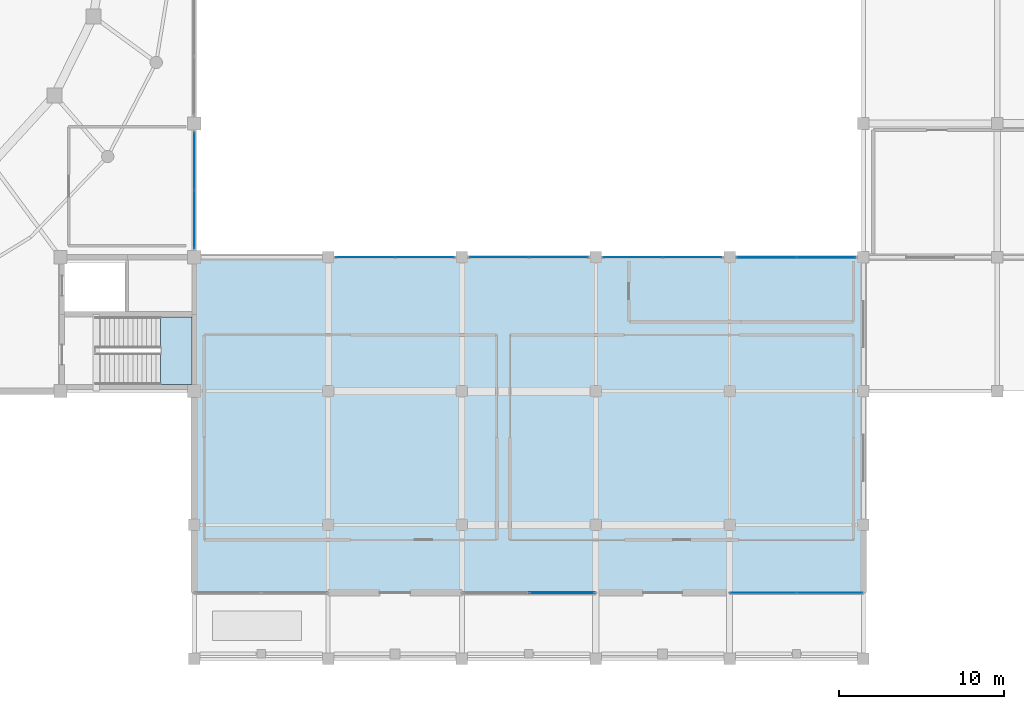
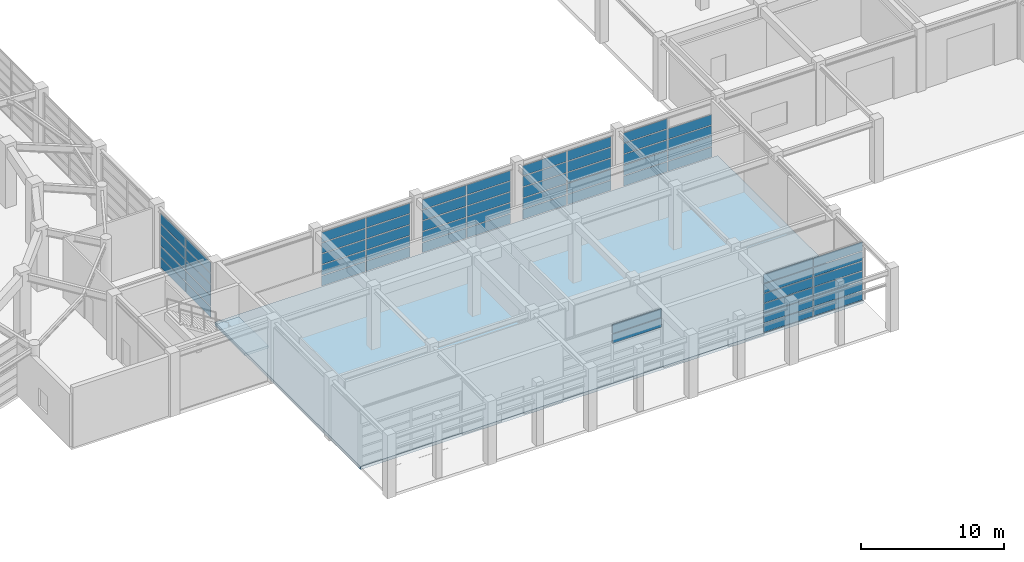
# One storey, part 30 of 52: 63 plates, 2 slabs, 8 elements without a shape of their own.
"""IFC4 building model written with IfcOpenShell, lengths in metres."""

from ifc_helpers import new_model, si_unit, direction, frame, origin, origin_2d, place, context, subcontext, project, spatial, polyline, rectangle, outline, extrude, material, layer, layer_set, type_object, element, aggregate, save


model = new_model("IFC4")

# Units and contexts
model_context = context("Model", 3, precision=1e-05, world=origin(), true_north=direction((0.0, 1.0)))
body_context = subcontext(model_context, "Body", "Model", "MODEL_VIEW")
ifc_project = project(units=[si_unit("LENGTHUNIT", "METRE"), si_unit("AREAUNIT", "SQUARE_METRE"), si_unit("VOLUMEUNIT", "CUBIC_METRE"), si_unit("PLANEANGLEUNIT", "RADIAN"), si_unit("MASSUNIT", "GRAM", prefix="KILO")], contexts=[model_context])

# Site, building, storey
site_placement = place(None, origin())
site = spatial("IfcSite", under=ifc_project, at=site_placement, CompositionType="ELEMENT")
building_placement = place(site_placement, origin())
building = spatial("IfcBuilding", under=site, at=building_placement, Name="Parian Resonance Hall", CompositionType="ELEMENT")
storey_placement = place(building_placement, origin())
storey = spatial("IfcBuildingStorey", under=building, at=storey_placement, Name="L00", CompositionType="ELEMENT", Elevation=0.0)

# Curtain wall, plates
ifc_material_1 = material(Name="Bronze-anodised aluminium frame", Category="aluminium")
curtain_wall_type_1 = type_object("IfcCurtainWallType", Name="CW-SYS-02", PredefinedType="NOTDEFINED", material=ifc_material_1)
curtain_wall_1_placement = place(storey_placement, origin())
curtain_wall_1 = element("IfcCurtainWall", 1, at=curtain_wall_1_placement, inside=storey, type_object=curtain_wall_type_1, Name="Curtain wall CW-L00-075", PredefinedType="NOTDEFINED")
ifc_material_2 = material(Name="Acoustic laminated double glazing", Category="glass")
ifc_layer_1 = layer(ifc_material_2, 0.02197265625)
ifc_layer_set_1 = layer_set([ifc_layer_1], Name="Acoustic laminated double glazing")
plate_type_1 = type_object("IfcPlateType", Name="CWP-IGU22", PredefinedType="CURTAIN_PANEL", material=ifc_layer_set_1)
plate_1_placement = place(storey_placement, frame((111.358642578125, 4.0, 0.05712890625), z_axis=(0.0, 0.0, 1.0), x_axis=(-1.0, 0.0, 0.0)))
plate_1 = element("IfcPlate", 2, at=plate_1_placement, type_object=plate_type_1, Name="CW-02 panel 1.1", PredefinedType="CURTAIN_PANEL", context=body_context, shape_type="SweptSolid", body=[
    extrude(rectangle(XDim=3.952392578125, YDim=0.02197265625, at=origin_2d()), origin(), (0.0, 0.0, 1.0), 0.752197265625),
])
plate_2_placement = place(storey_placement, frame((111.358642578125, 4.0, 0.8740234375), z_axis=(0.0, 0.0, 1.0), x_axis=(-1.0, 0.0, 0.0)))
plate_2 = element("IfcPlate", 3, at=plate_2_placement, type_object=plate_type_1, Name="CW-02 panel 1.2", PredefinedType="CURTAIN_PANEL", context=body_context, shape_type="SweptSolid", body=[
    extrude(rectangle(XDim=3.952392578125, YDim=0.02197265625, at=origin_2d()), origin(), (0.0, 0.0, 1.0), 0.776611328125),
])
plate_3_placement = place(storey_placement, frame((111.358642578125, 4.0, 1.7158203125), z_axis=(0.0, 0.0, 1.0), x_axis=(-1.0, 0.0, 0.0)))
plate_3 = element("IfcPlate", 4, at=plate_3_placement, type_object=plate_type_1, Name="CW-02 panel 1.3", PredefinedType="CURTAIN_PANEL", context=body_context, shape_type="SweptSolid", body=[
    extrude(rectangle(XDim=3.952392578125, YDim=0.02197265625, at=origin_2d()), origin(), (0.0, 0.0, 1.0), 0.776611328125),
])
plate_4_placement = place(storey_placement, frame((111.358642578125, 4.0, 2.5576171875), z_axis=(0.0, 0.0, 1.0), x_axis=(-1.0, 0.0, 0.0)))
plate_4 = element("IfcPlate", 5, at=plate_4_placement, type_object=plate_type_1, Name="CW-02 panel 1.4", PredefinedType="CURTAIN_PANEL", context=body_context, shape_type="SweptSolid", body=[
    extrude(rectangle(XDim=3.952392578125, YDim=0.02197265625, at=origin_2d()), origin(), (0.0, 0.0, 1.0), 0.776611328125),
])
plate_5_placement = place(storey_placement, frame((111.358642578125, 4.0, 3.3994140625), z_axis=(0.0, 0.0, 1.0), x_axis=(-1.0, 0.0, 0.0)))
plate_5 = element("IfcPlate", 6, at=plate_5_placement, type_object=plate_type_1, Name="CW-02 panel 1.5", PredefinedType="CURTAIN_PANEL", context=body_context, shape_type="SweptSolid", body=[
    extrude(rectangle(XDim=3.952392578125, YDim=0.02197265625, at=origin_2d()), origin(), (0.0, 0.0, 1.0), 0.776611328125),
])
plate_6_placement = place(storey_placement, frame((111.358642578125, 4.0, 4.24072265625), z_axis=(0.0, 0.0, 1.0), x_axis=(-1.0, 0.0, 0.0)))
plate_6 = element("IfcPlate", 7, at=plate_6_placement, type_object=plate_type_1, Name="CW-02 panel 1.6", PredefinedType="CURTAIN_PANEL", context=body_context, shape_type="SweptSolid", body=[
    extrude(rectangle(XDim=3.952392578125, YDim=0.02197265625, at=origin_2d()), origin(), (0.0, 0.0, 1.0), 0.754150390625),
])
plate_7_placement = place(storey_placement, frame((107.34130859375, 4.0, 0.05712890625), z_axis=(0.0, 0.0, 1.0), x_axis=(-1.0, 0.0, 0.0)))
plate_7 = element("IfcPlate", 8, at=plate_7_placement, type_object=plate_type_1, Name="CW-02 panel 2.1", PredefinedType="CURTAIN_PANEL", context=body_context, shape_type="SweptSolid", body=[
    extrude(rectangle(XDim=3.952392578125, YDim=0.02197265625, at=origin_2d()), origin(), (0.0, 0.0, 1.0), 0.752197265625),
])
plate_8_placement = place(storey_placement, frame((107.34130859375, 4.0, 0.8740234375), z_axis=(0.0, 0.0, 1.0), x_axis=(-1.0, 0.0, 0.0)))
plate_8 = element("IfcPlate", 9, at=plate_8_placement, type_object=plate_type_1, Name="CW-02 panel 2.2", PredefinedType="CURTAIN_PANEL", context=body_context, shape_type="SweptSolid", body=[
    extrude(rectangle(XDim=3.952392578125, YDim=0.02197265625, at=origin_2d()), origin(), (0.0, 0.0, 1.0), 0.776611328125),
])
plate_9_placement = place(storey_placement, frame((107.34130859375, 4.0, 1.7158203125), z_axis=(0.0, 0.0, 1.0), x_axis=(-1.0, 0.0, 0.0)))
plate_9 = element("IfcPlate", 10, at=plate_9_placement, type_object=plate_type_1, Name="CW-02 panel 2.3", PredefinedType="CURTAIN_PANEL", context=body_context, shape_type="SweptSolid", body=[
    extrude(rectangle(XDim=3.952392578125, YDim=0.02197265625, at=origin_2d()), origin(), (0.0, 0.0, 1.0), 0.776611328125),
])
plate_10_placement = place(storey_placement, frame((107.34130859375, 4.0, 2.5576171875), z_axis=(0.0, 0.0, 1.0), x_axis=(-1.0, 0.0, 0.0)))
plate_10 = element("IfcPlate", 11, at=plate_10_placement, type_object=plate_type_1, Name="CW-02 panel 2.4", PredefinedType="CURTAIN_PANEL", context=body_context, shape_type="SweptSolid", body=[
    extrude(rectangle(XDim=3.952392578125, YDim=0.02197265625, at=origin_2d()), origin(), (0.0, 0.0, 1.0), 0.776611328125),
])
plate_11_placement = place(storey_placement, frame((107.34130859375, 4.0, 3.3994140625), z_axis=(0.0, 0.0, 1.0), x_axis=(-1.0, 0.0, 0.0)))
plate_11 = element("IfcPlate", 12, at=plate_11_placement, type_object=plate_type_1, Name="CW-02 panel 2.5", PredefinedType="CURTAIN_PANEL", context=body_context, shape_type="SweptSolid", body=[
    extrude(rectangle(XDim=3.952392578125, YDim=0.02197265625, at=origin_2d()), origin(), (0.0, 0.0, 1.0), 0.776611328125),
])
plate_12_placement = place(storey_placement, frame((107.34130859375, 4.0, 4.24072265625), z_axis=(0.0, 0.0, 1.0), x_axis=(-1.0, 0.0, 0.0)))
plate_12 = element("IfcPlate", 13, at=plate_12_placement, type_object=plate_type_1, Name="CW-02 panel 2.6", PredefinedType="CURTAIN_PANEL", context=body_context, shape_type="SweptSolid", body=[
    extrude(rectangle(XDim=3.952392578125, YDim=0.02197265625, at=origin_2d()), origin(), (0.0, 0.0, 1.0), 0.754150390625),
])
aggregate(curtain_wall_1, [plate_1, plate_2, plate_3, plate_4, plate_5, plate_6, plate_7, plate_8, plate_9, plate_10, plate_11, plate_12])

ifc_material_3 = material(Name="Bronze-anodised aluminium frame", Category="aluminium")
curtain_wall_type_2 = type_object("IfcCurtainWallType", Name="CW-SYS-06", PredefinedType="NOTDEFINED", material=ifc_material_3)
curtain_wall_2_placement = place(storey_placement, origin())
curtain_wall_2 = element("IfcCurtainWall", 14, at=curtain_wall_2_placement, inside=storey, type_object=curtain_wall_type_2, Name="Curtain wall CW-L00-111", PredefinedType="NOTDEFINED")
plate_13_placement = place(storey_placement, frame((83.25634765625, 24.300048828125, 0.05712890625), z_axis=(0.0, 0.0, 1.0), x_axis=(1.0, 0.0, 0.0)))
plate_13 = element("IfcPlate", 15, at=plate_13_placement, type_object=plate_type_1, Name="CW-06 panel 1.1", PredefinedType="CURTAIN_PANEL", context=body_context, shape_type="SweptSolid", body=[
    extrude(rectangle(XDim=3.5224609375, YDim=0.02197265625, at=origin_2d()), origin(), (0.0, 0.0, 1.0), 0.845947265625),
])
plate_14_placement = place(storey_placement, frame((83.25634765625, 24.300048828125, 0.9677734375), z_axis=(0.0, 0.0, 1.0), x_axis=(1.0, 0.0, 0.0)))
plate_14 = element("IfcPlate", 16, at=plate_14_placement, type_object=plate_type_1, Name="CW-06 panel 1.2", PredefinedType="CURTAIN_PANEL", context=body_context, shape_type="SweptSolid", body=[
    extrude(rectangle(XDim=3.5224609375, YDim=0.02197265625, at=origin_2d()), origin(), (0.0, 0.0, 1.0), 0.870361328125),
])
plate_15_placement = place(storey_placement, frame((83.25634765625, 24.300048828125, 1.9033203125), z_axis=(0.0, 0.0, 1.0), x_axis=(1.0, 0.0, 0.0)))
plate_15 = element("IfcPlate", 17, at=plate_15_placement, type_object=plate_type_1, Name="CW-06 panel 1.3", PredefinedType="CURTAIN_PANEL", context=body_context, shape_type="SweptSolid", body=[
    extrude(rectangle(XDim=3.5224609375, YDim=0.02197265625, at=origin_2d()), origin(), (0.0, 0.0, 1.0), 0.870361328125),
])
plate_16_placement = place(storey_placement, frame((83.25634765625, 24.300048828125, 2.8388671875), z_axis=(0.0, 0.0, 1.0), x_axis=(1.0, 0.0, 0.0)))
plate_16 = element("IfcPlate", 18, at=plate_16_placement, type_object=plate_type_1, Name="CW-06 panel 1.4", PredefinedType="CURTAIN_PANEL", context=body_context, shape_type="SweptSolid", body=[
    extrude(rectangle(XDim=3.5224609375, YDim=0.02197265625, at=origin_2d()), origin(), (0.0, 0.0, 1.0), 0.870361328125),
])
plate_17_placement = place(storey_placement, frame((83.25634765625, 24.300048828125, 3.77392578125), z_axis=(0.0, 0.0, 1.0), x_axis=(1.0, 0.0, 0.0)))
plate_17 = element("IfcPlate", 19, at=plate_17_placement, type_object=plate_type_1, Name="CW-06 panel 1.5", PredefinedType="CURTAIN_PANEL", context=body_context, shape_type="SweptSolid", body=[
    extrude(rectangle(XDim=3.5224609375, YDim=0.02197265625, at=origin_2d()), origin(), (0.0, 0.0, 1.0), 0.847900390625),
])
plate_18_placement = place(storey_placement, frame((86.84375, 24.300048828125, 0.05712890625), z_axis=(0.0, 0.0, 1.0), x_axis=(1.0, 0.0, 0.0)))
plate_18 = element("IfcPlate", 20, at=plate_18_placement, type_object=plate_type_1, Name="CW-06 panel 2.1", PredefinedType="CURTAIN_PANEL", context=body_context, shape_type="SweptSolid", body=[
    extrude(rectangle(XDim=3.5224609375, YDim=0.02197265625, at=origin_2d()), origin(), (0.0, 0.0, 1.0), 0.845947265625),
])
plate_19_placement = place(storey_placement, frame((86.84375, 24.300048828125, 0.9677734375), z_axis=(0.0, 0.0, 1.0), x_axis=(1.0, 0.0, 0.0)))
plate_19 = element("IfcPlate", 21, at=plate_19_placement, type_object=plate_type_1, Name="CW-06 panel 2.2", PredefinedType="CURTAIN_PANEL", context=body_context, shape_type="SweptSolid", body=[
    extrude(rectangle(XDim=3.5224609375, YDim=0.02197265625, at=origin_2d()), origin(), (0.0, 0.0, 1.0), 0.870361328125),
])
plate_20_placement = place(storey_placement, frame((86.84375, 24.300048828125, 1.9033203125), z_axis=(0.0, 0.0, 1.0), x_axis=(1.0, 0.0, 0.0)))
plate_20 = element("IfcPlate", 22, at=plate_20_placement, type_object=plate_type_1, Name="CW-06 panel 2.3", PredefinedType="CURTAIN_PANEL", context=body_context, shape_type="SweptSolid", body=[
    extrude(rectangle(XDim=3.5224609375, YDim=0.02197265625, at=origin_2d()), origin(), (0.0, 0.0, 1.0), 0.870361328125),
])
plate_21_placement = place(storey_placement, frame((86.84375, 24.300048828125, 2.8388671875), z_axis=(0.0, 0.0, 1.0), x_axis=(1.0, 0.0, 0.0)))
plate_21 = element("IfcPlate", 23, at=plate_21_placement, type_object=plate_type_1, Name="CW-06 panel 2.4", PredefinedType="CURTAIN_PANEL", context=body_context, shape_type="SweptSolid", body=[
    extrude(rectangle(XDim=3.5224609375, YDim=0.02197265625, at=origin_2d()), origin(), (0.0, 0.0, 1.0), 0.870361328125),
])
plate_22_placement = place(storey_placement, frame((86.84375, 24.300048828125, 3.77392578125), z_axis=(0.0, 0.0, 1.0), x_axis=(1.0, 0.0, 0.0)))
plate_22 = element("IfcPlate", 24, at=plate_22_placement, type_object=plate_type_1, Name="CW-06 panel 2.5", PredefinedType="CURTAIN_PANEL", context=body_context, shape_type="SweptSolid", body=[
    extrude(rectangle(XDim=3.5224609375, YDim=0.02197265625, at=origin_2d()), origin(), (0.0, 0.0, 1.0), 0.847900390625),
])
aggregate(curtain_wall_2, [plate_13, plate_14, plate_15, plate_16, plate_17, plate_18, plate_19, plate_20, plate_21, plate_22])

ifc_material_4 = material(Name="Bronze-anodised aluminium frame", Category="aluminium")
curtain_wall_type_3 = type_object("IfcCurtainWallType", Name="CW-SYS-01", PredefinedType="NOTDEFINED", material=ifc_material_4)
curtain_wall_3_placement = place(storey_placement, origin())
curtain_wall_3 = element("IfcCurtainWall", 25, at=curtain_wall_3_placement, inside=storey, type_object=curtain_wall_type_3, Name="Curtain wall CW-L00-117", PredefinedType="NOTDEFINED")
plate_23_placement = place(storey_placement, frame((91.356201171875, 24.300048828125, 0.05712890625), z_axis=(0.0, 0.0, 1.0), x_axis=(1.0, 0.0, 0.0)))
plate_23 = element("IfcPlate", 26, at=plate_23_placement, type_object=plate_type_1, Name="CW-01 panel 1.1", PredefinedType="CURTAIN_PANEL", context=body_context, shape_type="SweptSolid", body=[
    extrude(rectangle(XDim=3.5224609375, YDim=0.02197265625, at=origin_2d()), origin(), (0.0, 0.0, 1.0), 0.83544921875),
])
plate_24_placement = place(storey_placement, frame((91.356201171875, 24.300048828125, 0.95751953125), z_axis=(0.0, 0.0, 1.0), x_axis=(1.0, 0.0, 0.0)))
plate_24 = element("IfcPlate", 27, at=plate_24_placement, type_object=plate_type_1, Name="CW-01 panel 1.2", PredefinedType="CURTAIN_PANEL", context=body_context, shape_type="SweptSolid", body=[
    extrude(rectangle(XDim=3.5224609375, YDim=0.02197265625, at=origin_2d()), origin(), (0.0, 0.0, 1.0), 0.860107421875),
])
plate_25_placement = place(storey_placement, frame((91.356201171875, 24.300048828125, 1.88232421875), z_axis=(0.0, 0.0, 1.0), x_axis=(1.0, 0.0, 0.0)))
plate_25 = element("IfcPlate", 28, at=plate_25_placement, type_object=plate_type_1, Name="CW-01 panel 1.3", PredefinedType="CURTAIN_PANEL", context=body_context, shape_type="SweptSolid", body=[
    extrude(rectangle(XDim=3.5224609375, YDim=0.02197265625, at=origin_2d()), origin(), (0.0, 0.0, 1.0), 0.860107421875),
])
plate_26_placement = place(storey_placement, frame((91.356201171875, 24.300048828125, 2.8076171875), z_axis=(0.0, 0.0, 1.0), x_axis=(1.0, 0.0, 0.0)))
plate_26 = element("IfcPlate", 29, at=plate_26_placement, type_object=plate_type_1, Name="CW-01 panel 1.4", PredefinedType="CURTAIN_PANEL", context=body_context, shape_type="SweptSolid", body=[
    extrude(rectangle(XDim=3.5224609375, YDim=0.02197265625, at=origin_2d()), origin(), (0.0, 0.0, 1.0), 0.860107421875),
])
plate_27_placement = place(storey_placement, frame((91.356201171875, 24.300048828125, 3.732666015625), z_axis=(0.0, 0.0, 1.0), x_axis=(1.0, 0.0, 0.0)))
plate_27 = element("IfcPlate", 30, at=plate_27_placement, type_object=plate_type_1, Name="CW-01 panel 1.5", PredefinedType="CURTAIN_PANEL", context=body_context, shape_type="SweptSolid", body=[
    extrude(rectangle(XDim=3.5224609375, YDim=0.02197265625, at=origin_2d()), origin(), (0.0, 0.0, 1.0), 0.83740234375),
])
plate_28_placement = place(storey_placement, frame((94.94384765625, 24.300048828125, 0.05712890625), z_axis=(0.0, 0.0, 1.0), x_axis=(1.0, 0.0, 0.0)))
plate_28 = element("IfcPlate", 31, at=plate_28_placement, type_object=plate_type_1, Name="CW-01 panel 2.1", PredefinedType="CURTAIN_PANEL", context=body_context, shape_type="SweptSolid", body=[
    extrude(rectangle(XDim=3.5224609375, YDim=0.02197265625, at=origin_2d()), origin(), (0.0, 0.0, 1.0), 0.83544921875),
])
plate_29_placement = place(storey_placement, frame((94.94384765625, 24.300048828125, 0.95751953125), z_axis=(0.0, 0.0, 1.0), x_axis=(1.0, 0.0, 0.0)))
plate_29 = element("IfcPlate", 32, at=plate_29_placement, type_object=plate_type_1, Name="CW-01 panel 2.2", PredefinedType="CURTAIN_PANEL", context=body_context, shape_type="SweptSolid", body=[
    extrude(rectangle(XDim=3.5224609375, YDim=0.02197265625, at=origin_2d()), origin(), (0.0, 0.0, 1.0), 0.860107421875),
])
plate_30_placement = place(storey_placement, frame((94.94384765625, 24.300048828125, 1.88232421875), z_axis=(0.0, 0.0, 1.0), x_axis=(1.0, 0.0, 0.0)))
plate_30 = element("IfcPlate", 33, at=plate_30_placement, type_object=plate_type_1, Name="CW-01 panel 2.3", PredefinedType="CURTAIN_PANEL", context=body_context, shape_type="SweptSolid", body=[
    extrude(rectangle(XDim=3.5224609375, YDim=0.02197265625, at=origin_2d()), origin(), (0.0, 0.0, 1.0), 0.860107421875),
])
plate_31_placement = place(storey_placement, frame((94.94384765625, 24.300048828125, 2.8076171875), z_axis=(0.0, 0.0, 1.0), x_axis=(1.0, 0.0, 0.0)))
plate_31 = element("IfcPlate", 34, at=plate_31_placement, type_object=plate_type_1, Name="CW-01 panel 2.4", PredefinedType="CURTAIN_PANEL", context=body_context, shape_type="SweptSolid", body=[
    extrude(rectangle(XDim=3.5224609375, YDim=0.02197265625, at=origin_2d()), origin(), (0.0, 0.0, 1.0), 0.860107421875),
])
plate_32_placement = place(storey_placement, frame((94.94384765625, 24.300048828125, 3.732666015625), z_axis=(0.0, 0.0, 1.0), x_axis=(1.0, 0.0, 0.0)))
plate_32 = element("IfcPlate", 35, at=plate_32_placement, type_object=plate_type_1, Name="CW-01 panel 2.5", PredefinedType="CURTAIN_PANEL", context=body_context, shape_type="SweptSolid", body=[
    extrude(rectangle(XDim=3.5224609375, YDim=0.02197265625, at=origin_2d()), origin(), (0.0, 0.0, 1.0), 0.83740234375),
])
aggregate(curtain_wall_3, [plate_23, plate_24, plate_25, plate_26, plate_27, plate_28, plate_29, plate_30, plate_31, plate_32])

curtain_wall_4_placement = place(storey_placement, origin())
curtain_wall_4 = element("IfcCurtainWall", 36, at=curtain_wall_4_placement, inside=storey, type_object=curtain_wall_type_1, Name="Curtain wall CW-L00-123", PredefinedType="NOTDEFINED")
plate_33_placement = place(storey_placement, frame((99.456298828125, 24.300048828125, 0.05712890625), z_axis=(0.0, 0.0, 1.0), x_axis=(1.0, 0.0, 0.0)))
plate_33 = element("IfcPlate", 37, at=plate_33_placement, type_object=plate_type_1, Name="CW-02 panel 1.1", PredefinedType="CURTAIN_PANEL", context=body_context, shape_type="SweptSolid", body=[
    extrude(rectangle(XDim=3.5224609375, YDim=0.02197265625, at=origin_2d()), origin(), (0.0, 0.0, 1.0), 0.845947265625),
])
plate_34_placement = place(storey_placement, frame((99.456298828125, 24.300048828125, 0.9677734375), z_axis=(0.0, 0.0, 1.0), x_axis=(1.0, 0.0, 0.0)))
plate_34 = element("IfcPlate", 38, at=plate_34_placement, type_object=plate_type_1, Name="CW-02 panel 1.2", PredefinedType="CURTAIN_PANEL", context=body_context, shape_type="SweptSolid", body=[
    extrude(rectangle(XDim=3.5224609375, YDim=0.02197265625, at=origin_2d()), origin(), (0.0, 0.0, 1.0), 0.870361328125),
])
plate_35_placement = place(storey_placement, frame((99.456298828125, 24.300048828125, 1.9033203125), z_axis=(0.0, 0.0, 1.0), x_axis=(1.0, 0.0, 0.0)))
plate_35 = element("IfcPlate", 39, at=plate_35_placement, type_object=plate_type_1, Name="CW-02 panel 1.3", PredefinedType="CURTAIN_PANEL", context=body_context, shape_type="SweptSolid", body=[
    extrude(rectangle(XDim=3.5224609375, YDim=0.02197265625, at=origin_2d()), origin(), (0.0, 0.0, 1.0), 0.870361328125),
])
plate_36_placement = place(storey_placement, frame((99.456298828125, 24.300048828125, 2.8388671875), z_axis=(0.0, 0.0, 1.0), x_axis=(1.0, 0.0, 0.0)))
plate_36 = element("IfcPlate", 40, at=plate_36_placement, type_object=plate_type_1, Name="CW-02 panel 1.4", PredefinedType="CURTAIN_PANEL", context=body_context, shape_type="SweptSolid", body=[
    extrude(rectangle(XDim=3.5224609375, YDim=0.02197265625, at=origin_2d()), origin(), (0.0, 0.0, 1.0), 0.870361328125),
])
plate_37_placement = place(storey_placement, frame((99.456298828125, 24.300048828125, 3.77392578125), z_axis=(0.0, 0.0, 1.0), x_axis=(1.0, 0.0, 0.0)))
plate_37 = element("IfcPlate", 41, at=plate_37_placement, type_object=plate_type_1, Name="CW-02 panel 1.5", PredefinedType="CURTAIN_PANEL", context=body_context, shape_type="SweptSolid", body=[
    extrude(rectangle(XDim=3.5224609375, YDim=0.02197265625, at=origin_2d()), origin(), (0.0, 0.0, 1.0), 0.847900390625),
])
plate_38_placement = place(storey_placement, frame((103.043701171875, 24.300048828125, 0.05712890625), z_axis=(0.0, 0.0, 1.0), x_axis=(1.0, 0.0, 0.0)))
plate_38 = element("IfcPlate", 42, at=plate_38_placement, type_object=plate_type_1, Name="CW-02 panel 2.1", PredefinedType="CURTAIN_PANEL", context=body_context, shape_type="SweptSolid", body=[
    extrude(rectangle(XDim=3.5224609375, YDim=0.02197265625, at=origin_2d()), origin(), (0.0, 0.0, 1.0), 0.845947265625),
])
plate_39_placement = place(storey_placement, frame((103.043701171875, 24.300048828125, 0.9677734375), z_axis=(0.0, 0.0, 1.0), x_axis=(1.0, 0.0, 0.0)))
plate_39 = element("IfcPlate", 43, at=plate_39_placement, type_object=plate_type_1, Name="CW-02 panel 2.2", PredefinedType="CURTAIN_PANEL", context=body_context, shape_type="SweptSolid", body=[
    extrude(rectangle(XDim=3.5224609375, YDim=0.02197265625, at=origin_2d()), origin(), (0.0, 0.0, 1.0), 0.870361328125),
])
plate_40_placement = place(storey_placement, frame((103.043701171875, 24.300048828125, 1.9033203125), z_axis=(0.0, 0.0, 1.0), x_axis=(1.0, 0.0, 0.0)))
plate_40 = element("IfcPlate", 44, at=plate_40_placement, type_object=plate_type_1, Name="CW-02 panel 2.3", PredefinedType="CURTAIN_PANEL", context=body_context, shape_type="SweptSolid", body=[
    extrude(rectangle(XDim=3.5224609375, YDim=0.02197265625, at=origin_2d()), origin(), (0.0, 0.0, 1.0), 0.870361328125),
])
plate_41_placement = place(storey_placement, frame((103.043701171875, 24.300048828125, 2.8388671875), z_axis=(0.0, 0.0, 1.0), x_axis=(1.0, 0.0, 0.0)))
plate_41 = element("IfcPlate", 45, at=plate_41_placement, type_object=plate_type_1, Name="CW-02 panel 2.4", PredefinedType="CURTAIN_PANEL", context=body_context, shape_type="SweptSolid", body=[
    extrude(rectangle(XDim=3.5224609375, YDim=0.02197265625, at=origin_2d()), origin(), (0.0, 0.0, 1.0), 0.870361328125),
])
plate_42_placement = place(storey_placement, frame((103.043701171875, 24.300048828125, 3.77392578125), z_axis=(0.0, 0.0, 1.0), x_axis=(1.0, 0.0, 0.0)))
plate_42 = element("IfcPlate", 46, at=plate_42_placement, type_object=plate_type_1, Name="CW-02 panel 2.5", PredefinedType="CURTAIN_PANEL", context=body_context, shape_type="SweptSolid", body=[
    extrude(rectangle(XDim=3.5224609375, YDim=0.02197265625, at=origin_2d()), origin(), (0.0, 0.0, 1.0), 0.847900390625),
])
aggregate(curtain_wall_4, [plate_33, plate_34, plate_35, plate_36, plate_37, plate_38, plate_39, plate_40, plate_41, plate_42])

ifc_material_5 = material(Name="Bronze-anodised aluminium frame", Category="aluminium")
curtain_wall_type_4 = type_object("IfcCurtainWallType", Name="CW-SYS-03", PredefinedType="NOTDEFINED", material=ifc_material_5)
curtain_wall_5_placement = place(storey_placement, origin())
curtain_wall_5 = element("IfcCurtainWall", 47, at=curtain_wall_5_placement, inside=storey, type_object=curtain_wall_type_4, Name="Curtain wall CW-L00-127", PredefinedType="NOTDEFINED")
ifc_material_6 = material(Name="Acoustic laminated double glazing", Category="glass")
ifc_layer_2 = layer(ifc_material_6, 0.031982421875)
ifc_layer_set_2 = layer_set([ifc_layer_2], Name="Acoustic laminated double glazing")
plate_type_2 = type_object("IfcPlateType", Name="CWP-IGU32", PredefinedType="CURTAIN_PANEL", material=ifc_layer_set_2)
plate_43_placement = place(storey_placement, frame((107.55615234375, 24.300048828125, 0.05712890625), z_axis=(0.0, 0.0, 1.0), x_axis=(1.0, 0.0, 0.0)))
plate_43 = element("IfcPlate", 48, at=plate_43_placement, type_object=plate_type_2, Name="CW-03 panel 1.1", PredefinedType="CURTAIN_PANEL", context=body_context, shape_type="SweptSolid", body=[
    extrude(rectangle(XDim=3.5224609375, YDim=0.031982421875, at=origin_2d()), origin(), (0.0, 0.0, 1.0), 0.83544921875),
])
plate_44_placement = place(storey_placement, frame((107.55615234375, 24.300048828125, 0.95751953125), z_axis=(0.0, 0.0, 1.0), x_axis=(1.0, 0.0, 0.0)))
plate_44 = element("IfcPlate", 49, at=plate_44_placement, type_object=plate_type_2, Name="CW-03 panel 1.2", PredefinedType="CURTAIN_PANEL", context=body_context, shape_type="SweptSolid", body=[
    extrude(rectangle(XDim=3.5224609375, YDim=0.031982421875, at=origin_2d()), origin(), (0.0, 0.0, 1.0), 0.860107421875),
])
plate_45_placement = place(storey_placement, frame((107.55615234375, 24.300048828125, 1.88232421875), z_axis=(0.0, 0.0, 1.0), x_axis=(1.0, 0.0, 0.0)))
plate_45 = element("IfcPlate", 50, at=plate_45_placement, type_object=plate_type_2, Name="CW-03 panel 1.3", PredefinedType="CURTAIN_PANEL", context=body_context, shape_type="SweptSolid", body=[
    extrude(rectangle(XDim=3.5224609375, YDim=0.031982421875, at=origin_2d()), origin(), (0.0, 0.0, 1.0), 0.860107421875),
])
plate_46_placement = place(storey_placement, frame((107.55615234375, 24.300048828125, 2.8076171875), z_axis=(0.0, 0.0, 1.0), x_axis=(1.0, 0.0, 0.0)))
plate_46 = element("IfcPlate", 51, at=plate_46_placement, type_object=plate_type_2, Name="CW-03 panel 1.4", PredefinedType="CURTAIN_PANEL", context=body_context, shape_type="SweptSolid", body=[
    extrude(rectangle(XDim=3.5224609375, YDim=0.031982421875, at=origin_2d()), origin(), (0.0, 0.0, 1.0), 0.860107421875),
])
plate_47_placement = place(storey_placement, frame((107.55615234375, 24.300048828125, 3.732666015625), z_axis=(0.0, 0.0, 1.0), x_axis=(1.0, 0.0, 0.0)))
plate_47 = element("IfcPlate", 52, at=plate_47_placement, type_object=plate_type_2, Name="CW-03 panel 1.5", PredefinedType="CURTAIN_PANEL", context=body_context, shape_type="SweptSolid", body=[
    extrude(rectangle(XDim=3.5224609375, YDim=0.031982421875, at=origin_2d()), origin(), (0.0, 0.0, 1.0), 0.83740234375),
])
plate_48_placement = place(storey_placement, frame((111.143798828125, 24.300048828125, 0.05712890625), z_axis=(0.0, 0.0, 1.0), x_axis=(1.0, 0.0, 0.0)))
plate_48 = element("IfcPlate", 53, at=plate_48_placement, type_object=plate_type_2, Name="CW-03 panel 2.1", PredefinedType="CURTAIN_PANEL", context=body_context, shape_type="SweptSolid", body=[
    extrude(rectangle(XDim=3.5224609375, YDim=0.031982421875, at=origin_2d()), origin(), (0.0, 0.0, 1.0), 0.83544921875),
])
plate_49_placement = place(storey_placement, frame((111.143798828125, 24.300048828125, 0.95751953125), z_axis=(0.0, 0.0, 1.0), x_axis=(1.0, 0.0, 0.0)))
plate_49 = element("IfcPlate", 54, at=plate_49_placement, type_object=plate_type_2, Name="CW-03 panel 2.2", PredefinedType="CURTAIN_PANEL", context=body_context, shape_type="SweptSolid", body=[
    extrude(rectangle(XDim=3.5224609375, YDim=0.031982421875, at=origin_2d()), origin(), (0.0, 0.0, 1.0), 0.860107421875),
])
plate_50_placement = place(storey_placement, frame((111.143798828125, 24.300048828125, 1.88232421875), z_axis=(0.0, 0.0, 1.0), x_axis=(1.0, 0.0, 0.0)))
plate_50 = element("IfcPlate", 55, at=plate_50_placement, type_object=plate_type_2, Name="CW-03 panel 2.3", PredefinedType="CURTAIN_PANEL", context=body_context, shape_type="SweptSolid", body=[
    extrude(rectangle(XDim=3.5224609375, YDim=0.031982421875, at=origin_2d()), origin(), (0.0, 0.0, 1.0), 0.860107421875),
])
plate_51_placement = place(storey_placement, frame((111.143798828125, 24.300048828125, 2.8076171875), z_axis=(0.0, 0.0, 1.0), x_axis=(1.0, 0.0, 0.0)))
plate_51 = element("IfcPlate", 56, at=plate_51_placement, type_object=plate_type_2, Name="CW-03 panel 2.4", PredefinedType="CURTAIN_PANEL", context=body_context, shape_type="SweptSolid", body=[
    extrude(rectangle(XDim=3.5224609375, YDim=0.031982421875, at=origin_2d()), origin(), (0.0, 0.0, 1.0), 0.860107421875),
])
aggregate(curtain_wall_5, [plate_43, plate_44, plate_45, plate_46, plate_47, plate_48, plate_49, plate_50, plate_51])

ifc_material_7 = material(Name="Bronze-anodised aluminium frame", Category="aluminium")
curtain_wall_type_5 = type_object("IfcCurtainWallType", Name="CW-SYS-04", PredefinedType="NOTDEFINED", material=ifc_material_7)
curtain_wall_6_placement = place(storey_placement, origin())
curtain_wall_6 = element("IfcCurtainWall", 57, at=curtain_wall_6_placement, inside=storey, type_object=curtain_wall_type_5, Name="Curtain wall CW-L00-130", PredefinedType="NOTDEFINED")
plate_52_placement = place(storey_placement, frame((72.89990234375, 30.1162109375, 0.06689453125), z_axis=(0.0, 0.0, 1.0), x_axis=(0.0, -1.0, 0.0)))
plate_52 = element("IfcPlate", 58, at=plate_52_placement, type_object=plate_type_2, Name="CW-04 panel 1.1", PredefinedType="CURTAIN_PANEL", context=body_context, shape_type="SweptSolid", body=[
    extrude(rectangle(XDim=3.45751953125, YDim=0.031982421875, at=origin_2d()), origin(), (0.0, 0.0, 1.0), 0.848876953125),
])
plate_53_placement = place(storey_placement, frame((72.89990234375, 30.1162109375, 0.990966796875), z_axis=(0.0, 0.0, 1.0), x_axis=(0.0, -1.0, 0.0)))
plate_53 = element("IfcPlate", 59, at=plate_53_placement, type_object=plate_type_2, Name="CW-04 panel 1.2", PredefinedType="CURTAIN_PANEL", context=body_context, shape_type="SweptSolid", body=[
    extrude(rectangle(XDim=3.45751953125, YDim=0.031982421875, at=origin_2d()), origin(), (0.0, 0.0, 1.0), 0.87841796875),
])
plate_54_placement = place(storey_placement, frame((72.89990234375, 30.1162109375, 1.9443359375), z_axis=(0.0, 0.0, 1.0), x_axis=(0.0, -1.0, 0.0)))
plate_54 = element("IfcPlate", 60, at=plate_54_placement, type_object=plate_type_2, Name="CW-04 panel 1.3", PredefinedType="CURTAIN_PANEL", context=body_context, shape_type="SweptSolid", body=[
    extrude(rectangle(XDim=3.45751953125, YDim=0.031982421875, at=origin_2d()), origin(), (0.0, 0.0, 1.0), 0.87841796875),
])
plate_55_placement = place(storey_placement, frame((72.89990234375, 30.1162109375, 2.897705078125), z_axis=(0.0, 0.0, 1.0), x_axis=(0.0, -1.0, 0.0)))
plate_55 = element("IfcPlate", 61, at=plate_55_placement, type_object=plate_type_2, Name="CW-04 panel 1.4", PredefinedType="CURTAIN_PANEL", context=body_context, shape_type="SweptSolid", body=[
    extrude(rectangle(XDim=3.45751953125, YDim=0.031982421875, at=origin_2d()), origin(), (0.0, 0.0, 1.0), 0.87841796875),
])
plate_56_placement = place(storey_placement, frame((72.89990234375, 30.1162109375, 3.85107421875), z_axis=(0.0, 0.0, 1.0), x_axis=(0.0, -1.0, 0.0)))
plate_56 = element("IfcPlate", 62, at=plate_56_placement, type_object=plate_type_2, Name="CW-04 panel 1.5", PredefinedType="CURTAIN_PANEL", context=body_context, shape_type="SweptSolid", body=[
    extrude(rectangle(XDim=3.45751953125, YDim=0.031982421875, at=origin_2d()), origin(), (0.0, 0.0, 1.0), 0.850830078125),
])
plate_57_placement = place(storey_placement, frame((72.89990234375, 26.583740234375, 0.06689453125), z_axis=(0.0, 0.0, 1.0), x_axis=(0.0, -1.0, 0.0)))
plate_57 = element("IfcPlate", 63, at=plate_57_placement, type_object=plate_type_2, Name="CW-04 panel 2.1", PredefinedType="CURTAIN_PANEL", context=body_context, shape_type="SweptSolid", body=[
    extrude(rectangle(XDim=3.45751953125, YDim=0.031982421875, at=origin_2d()), origin(), (0.0, 0.0, 1.0), 0.848876953125),
])
plate_58_placement = place(storey_placement, frame((72.89990234375, 26.583740234375, 0.990966796875), z_axis=(0.0, 0.0, 1.0), x_axis=(0.0, -1.0, 0.0)))
plate_58 = element("IfcPlate", 64, at=plate_58_placement, type_object=plate_type_2, Name="CW-04 panel 2.2", PredefinedType="CURTAIN_PANEL", context=body_context, shape_type="SweptSolid", body=[
    extrude(rectangle(XDim=3.45751953125, YDim=0.031982421875, at=origin_2d()), origin(), (0.0, 0.0, 1.0), 0.87841796875),
])
plate_59_placement = place(storey_placement, frame((72.89990234375, 26.583740234375, 1.9443359375), z_axis=(0.0, 0.0, 1.0), x_axis=(0.0, -1.0, 0.0)))
plate_59 = element("IfcPlate", 65, at=plate_59_placement, type_object=plate_type_2, Name="CW-04 panel 2.3", PredefinedType="CURTAIN_PANEL", context=body_context, shape_type="SweptSolid", body=[
    extrude(rectangle(XDim=3.45751953125, YDim=0.031982421875, at=origin_2d()), origin(), (0.0, 0.0, 1.0), 0.87841796875),
])
plate_60_placement = place(storey_placement, frame((72.89990234375, 26.583740234375, 2.897705078125), z_axis=(0.0, 0.0, 1.0), x_axis=(0.0, -1.0, 0.0)))
plate_60 = element("IfcPlate", 66, at=plate_60_placement, type_object=plate_type_2, Name="CW-04 panel 2.4", PredefinedType="CURTAIN_PANEL", context=body_context, shape_type="SweptSolid", body=[
    extrude(rectangle(XDim=3.45751953125, YDim=0.031982421875, at=origin_2d()), origin(), (0.0, 0.0, 1.0), 0.87841796875),
])
plate_61_placement = place(storey_placement, frame((72.89990234375, 26.583740234375, 3.85107421875), z_axis=(0.0, 0.0, 1.0), x_axis=(0.0, -1.0, 0.0)))
plate_61 = element("IfcPlate", 67, at=plate_61_placement, type_object=plate_type_2, Name="CW-04 panel 2.5", PredefinedType="CURTAIN_PANEL", context=body_context, shape_type="SweptSolid", body=[
    extrude(rectangle(XDim=3.45751953125, YDim=0.031982421875, at=origin_2d()), origin(), (0.0, 0.0, 1.0), 0.850830078125),
])
aggregate(curtain_wall_6, [plate_52, plate_53, plate_54, plate_55, plate_56, plate_57, plate_58, plate_59, plate_60, plate_61])

curtain_wall_7_placement = place(storey_placement, origin())
curtain_wall_7 = element("IfcCurtainWall", 68, at=curtain_wall_7_placement, inside=storey, type_object=curtain_wall_type_2, Name="Curtain wall CW-L00-074", PredefinedType="NOTDEFINED")
ifc_material_8 = material(Name="Acoustic laminated double glazing", Category="glass")
ifc_layer_3 = layer(ifc_material_8, 0.0419921875)
ifc_layer_set_3 = layer_set([ifc_layer_3], Name="Acoustic laminated double glazing")
plate_type_3 = type_object("IfcPlateType", Name="CWP-IGU42", PredefinedType="CURTAIN_PANEL", material=ifc_layer_set_3)
plate_62_placement = place(storey_placement, frame((95.15625, 4.0, 3.404296875), z_axis=(0.0, 0.0, 1.0), x_axis=(-1.0, 0.0, 0.0)))
plate_62 = element("IfcPlate", 69, at=plate_62_placement, type_object=plate_type_3, Name="CW-06 panel 1.5", PredefinedType="CURTAIN_PANEL", context=body_context, shape_type="SweptSolid", body=[
    extrude(rectangle(XDim=3.9375, YDim=0.0419921875, at=origin_2d()), origin(), (0.0, 0.0, 1.0), 0.7666015625),
])
plate_63_placement = place(storey_placement, frame((95.15625, 4.0, 4.245849609375), z_axis=(0.0, 0.0, 1.0), x_axis=(-1.0, 0.0, 0.0)))
plate_63 = element("IfcPlate", 70, at=plate_63_placement, type_object=plate_type_3, Name="CW-06 panel 1.6", PredefinedType="CURTAIN_PANEL", context=body_context, shape_type="SweptSolid", body=[
    extrude(rectangle(XDim=3.9375, YDim=0.0419921875, at=origin_2d()), origin(), (0.0, 0.0, 1.0), 0.7392578125),
])
aggregate(curtain_wall_7, [plate_62, plate_63])

# Slab
ifc_material_9 = material(Name="Concrete C35/45", Category="concrete")
ifc_layer_4 = layer(ifc_material_9, 0.260009765625)
ifc_layer_set_4 = layer_set([ifc_layer_4], Name="Concrete C35/45")
slab_type_1 = type_object("IfcSlabType", Name="SLB-GND-260", PredefinedType="BASESLAB", material=ifc_layer_set_4)
slab_1_placement = place(storey_placement, frame((0.0, 0.0, -0.260009765625)))
element("IfcSlab", 71, at=slab_1_placement, inside=storey, type_object=slab_type_1, Name="Rehearsal pavilion ground slab", PredefinedType="BASESLAB", context=body_context, shape_type="SweptSolid", body=[
    extrude(outline(polyline([(72.89990234375, 4.0), (113.39990234375, 4.0), (113.39990234375, 24.300048828125), (72.89990234375, 24.300048828125), (72.89990234375, 4.0)])), origin(), (0.0, 0.0, 1.0), 0.260009765625),
])

# Stair, slab
ifc_material_10 = material(Name="Concrete C40/50", Category="concrete")
stair_type = type_object("IfcStairType", Name="STAIR-CORE-1850", PredefinedType="HALF_TURN_STAIR", material=ifc_material_10)
stair_placement = place(storey_placement, origin())
stair = element("IfcStair", 72, at=stair_placement, inside=storey, type_object=stair_type, Name="L00 ST-03", PredefinedType="HALF_TURN_STAIR")
ifc_material_11 = material(Name="Concrete C40/50", Category="concrete")
ifc_layer_5 = layer(ifc_material_11, 0.199951171875)
ifc_layer_set_5 = layer_set([ifc_layer_5], Name="Concrete C40/50")
slab_type_2 = type_object("IfcSlabType", Name="SLB-LANDING-200", PredefinedType="LANDING", material=ifc_layer_set_5)
slab_2_placement = place(storey_placement, frame((0.0, 0.0, 2.5)))
slab_2 = element("IfcSlab", 73, at=slab_2_placement, type_object=slab_type_2, Name="ST-03 landing 1", PredefinedType="LANDING", context=body_context, shape_type="SweptSolid", body=[
    extrude(outline(polyline([(70.860107421875, 16.60009765625), (72.760009765625, 16.60009765625), (72.760009765625, 20.699951171875), (70.860107421875, 20.699951171875), (70.860107421875, 16.60009765625)])), origin(), (0.0, 0.0, 1.0), 0.199951171875),
])
aggregate(stair, [slab_2])

save(model, "model.ifc")
